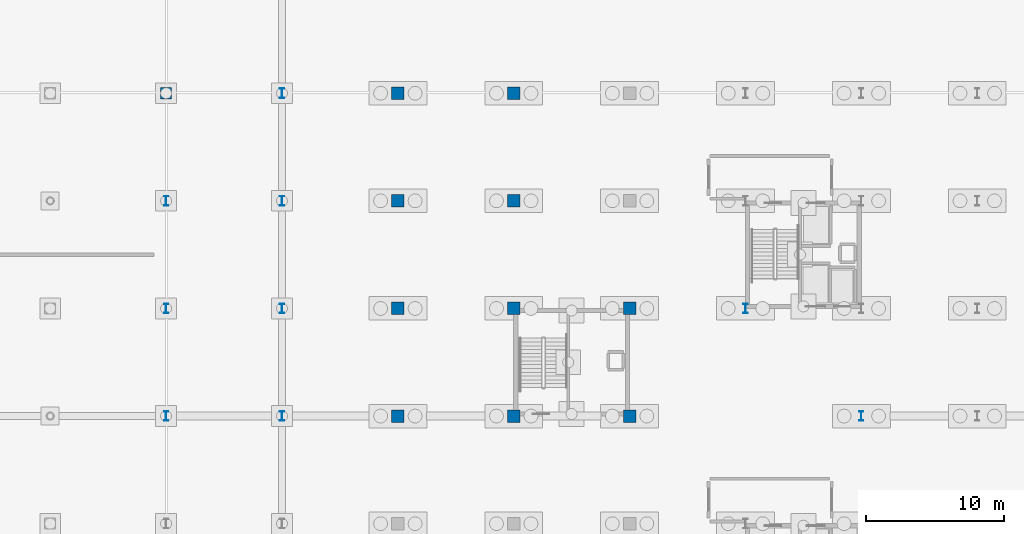
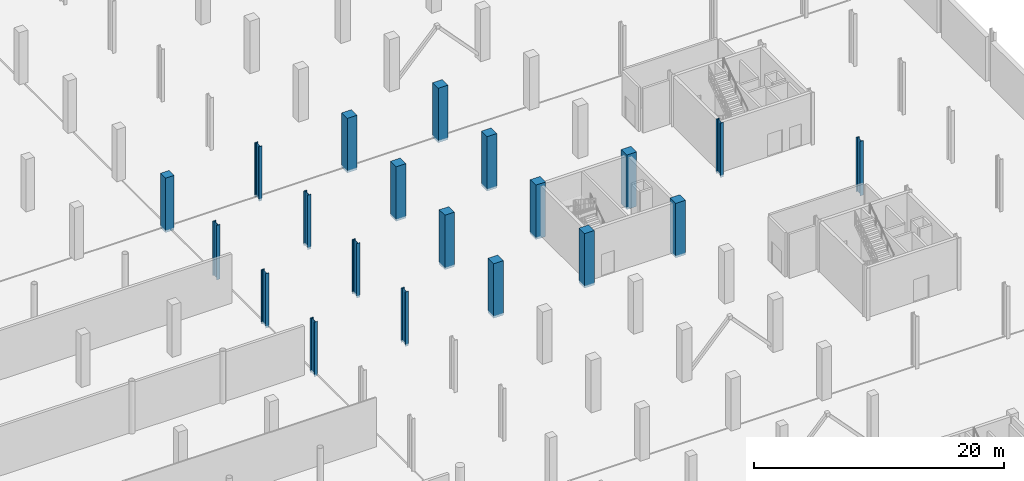
# One storey, part 18 of 48: 20 columns.
"""IFC4 building model written with IfcOpenShell, lengths in metres."""

from ifc_helpers import new_model, si_unit, direction, frame, origin, origin_2d, place, context, subcontext, project, spatial, rectangle, i_section, extrude, material, material_profile, profile_set, type_object, element, save


model = new_model("IFC4")

# Units and contexts
model_context = context("Model", 3, precision=1e-05, world=origin(), true_north=direction((0.0, 1.0)))
body_context = subcontext(model_context, "Body", "Model", "MODEL_VIEW")
ifc_project = project(units=[si_unit("LENGTHUNIT", "METRE"), si_unit("AREAUNIT", "SQUARE_METRE"), si_unit("VOLUMEUNIT", "CUBIC_METRE"), si_unit("PLANEANGLEUNIT", "RADIAN"), si_unit("MASSUNIT", "GRAM", prefix="KILO")], contexts=[model_context])

# Site, building, storey
site_placement = place(None, origin())
site = spatial("IfcSite", under=ifc_project, at=site_placement, CompositionType="ELEMENT")
building_placement = place(site_placement, origin())
building = spatial("IfcBuilding", under=site, at=building_placement, Name="Nabrawat Pavilion Hospital", CompositionType="ELEMENT")
storey_placement = place(building_placement, frame((0.0, 0.0, -5.10009765625)))
storey = spatial("IfcBuildingStorey", under=building, at=storey_placement, Name="B1", CompositionType="ELEMENT", Elevation=-5.10009765625)

# Columns
ifc_material_1 = material(Name="Steel S355", Category="steel")
ifc_material_profile_1 = material_profile(ifc_material_1, i_section(OverallWidth=0.300048828125, OverallDepth=0.699951171875, WebThickness=0.01708984375, FlangeThickness=0.031982421875, FilletRadius=0.027099609375, at=origin_2d()), Name="HEB 700")
ifc_profile_set_1 = profile_set([ifc_material_profile_1], Name="Steel S355")
column_type_1 = type_object("IfcColumnType", Name="Base Transfer Steel Column HEB 700", PredefinedType="COLUMN", material=ifc_profile_set_1)
for number, where, z_axis, x_axis, name in (
    (1, (126.0, 62.39990234375, -0.219970703125), (0.0, 0.0, 1.0), (1.0, 0.0, 0.0), "B1 Structural Column G-16A-J"),
    (2, (126.0, 70.199951171875, -0.219970703125), (0.0, 0.0, 1.0), (1.0, 0.0, 0.0), "B1 Structural Column G-16A-K"),
    (3, (126.0, 78.0, -0.219970703125), (0.0, 0.0, 1.0), (1.0, 0.0, 0.0), "B1 Structural Column G-16A-L"),
    (4, (134.39990234375, 62.39990234375, -0.219970703125), (0.0, 0.0, 1.0), (1.0, 0.0, 0.0), "B1 Structural Column G-17-J"),
    (5, (134.39990234375, 70.199951171875, -0.219970703125), (0.0, 0.0, 1.0), (1.0, 0.0, 0.0), "B1 Structural Column G-17-K"),
    (6, (134.39990234375, 78.0, -0.219970703125), (0.0, 0.0, 1.0), (1.0, 0.0, 0.0), "B1 Structural Column G-17-L"),
    (7, (134.39990234375, 85.800048828125, -0.219970703125), (0.0, 0.0, 1.0), (1.0, 0.0, 0.0), "B1 Structural Column G-17-M1"),
    (8, (168.0, 70.199951171875, -0.219970703125), (0.0, 0.0, 1.0), (1.0, 0.0, 0.0), "B1 Structural Column G-21-K"),
    (9, (176.39990234375, 62.39990234375, -0.219970703125), (0.0, 0.0, 1.0), (1.0, 0.0, 0.0), "B1 Structural Column G-22-J"),
):
    element("IfcColumn", number, at=place(storey_placement, frame(where, z_axis=z_axis, x_axis=x_axis)), inside=storey, type_object=column_type_1, Name=name, PredefinedType="COLUMN", context=body_context, shape_type="SweptSolid", body=[
        extrude(i_section(OverallWidth=0.300048828125, OverallDepth=0.699951171875, WebThickness=0.01708984375, FlangeThickness=0.031982421875, FilletRadius=0.027099609375, at=origin_2d()), origin(), (0.0, 0.0, 1.0), 5.320068359375),
    ])
ifc_material_2 = material(Name="Concrete C40/50", Category="concrete")
ifc_material_profile_2 = material_profile(ifc_material_2, rectangle(XDim=0.89990234375, YDim=0.89990234375, at=origin_2d()), Name="RC 900x900")
ifc_profile_set_2 = profile_set([ifc_material_profile_2], Name="Concrete C40/50")
column_type_2 = type_object("IfcColumnType", Name="Lower Ward RC Column 900x900", PredefinedType="COLUMN", material=ifc_profile_set_2)
for number, where, z_axis, x_axis, name in (
    (10, (142.800048828125, 62.39990234375, -0.219970703125), (0.0, 0.0, 1.0), (1.0, 0.0, 0.0), "B1 Structural Column G-18-J"),
    (11, (142.800048828125, 70.199951171875, -0.219970703125), (0.0, 0.0, 1.0), (1.0, 0.0, 0.0), "B1 Structural Column G-18-K"),
    (12, (142.800048828125, 78.0, -0.219970703125), (0.0, 0.0, 1.0), (1.0, 0.0, 0.0), "B1 Structural Column G-18-L"),
    (13, (142.800048828125, 85.800048828125, -0.219970703125), (0.0, 0.0, 1.0), (1.0, 0.0, 0.0), "B1 Structural Column G-18-M1"),
    (14, (151.199951171875, 62.39990234375, -0.219970703125), (0.0, 0.0, 1.0), (1.0, 0.0, 0.0), "B1 Structural Column G-19-J"),
    (15, (151.199951171875, 70.199951171875, -0.219970703125), (0.0, 0.0, 1.0), (1.0, 0.0, 0.0), "B1 Structural Column G-19-K"),
    (16, (151.199951171875, 78.0, -0.219970703125), (0.0, 0.0, 1.0), (1.0, 0.0, 0.0), "B1 Structural Column G-19-L"),
    (17, (151.199951171875, 85.800048828125, -0.219970703125), (0.0, 0.0, 1.0), (1.0, 0.0, 0.0), "B1 Structural Column G-19-M1"),
    (18, (159.60009765625, 62.39990234375, -0.219970703125), (0.0, 0.0, 1.0), (1.0, 0.0, 0.0), "B1 Structural Column G-20-J"),
    (19, (159.60009765625, 70.199951171875, -0.219970703125), (0.0, 0.0, 1.0), (1.0, 0.0, 0.0), "B1 Structural Column G-20-K"),
):
    element("IfcColumn", number, at=place(storey_placement, frame(where, z_axis=z_axis, x_axis=x_axis)), inside=storey, type_object=column_type_2, Name=name, PredefinedType="COLUMN", context=body_context, shape_type="SweptSolid", body=[
        extrude(rectangle(XDim=0.89990234375, YDim=0.89990234375, at=origin_2d()), origin(), (0.0, 0.0, 1.0), 5.320068359375),
    ])
ifc_material_profile_3 = material_profile(ifc_material_2, rectangle(XDim=0.800048828125, YDim=0.800048828125, at=origin_2d()), Name="RC 800x800")
ifc_profile_set_3 = profile_set([ifc_material_profile_3], Name="Concrete C40/50")
column_type_3 = type_object("IfcColumnType", Name="Podium Primary RC Column 800x800", PredefinedType="COLUMN", material=ifc_profile_set_3)
column_placement = place(storey_placement, frame((126.0, 85.800048828125, -0.219970703125), z_axis=(0.0, 0.0, 1.0), x_axis=(1.0, 0.0, 0.0)))
element("IfcColumn", 20, at=column_placement, inside=storey, type_object=column_type_3, Name="B1 Structural Column G-16A-M1", PredefinedType="COLUMN", context=body_context, shape_type="SweptSolid", body=[
    extrude(rectangle(XDim=0.800048828125, YDim=0.800048828125, at=origin_2d()), origin(), (0.0, 0.0, 1.0), 5.320068359375),
])

save(model, "model.ifc")
